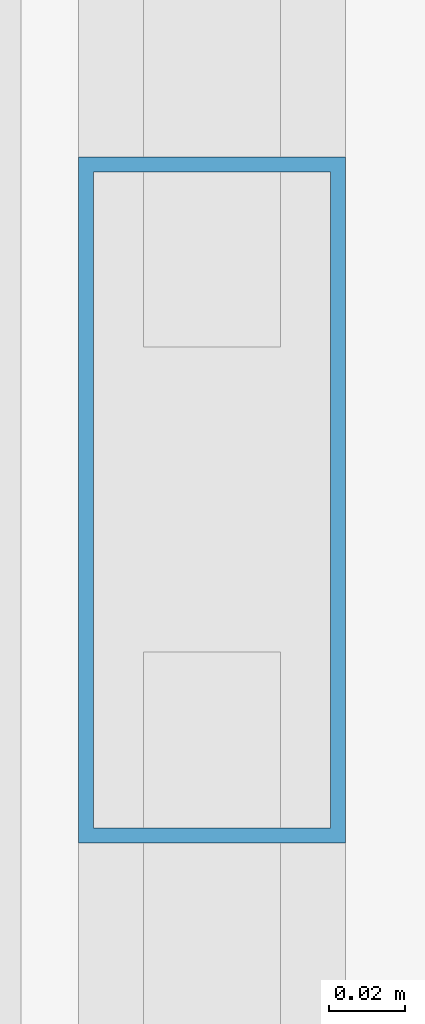
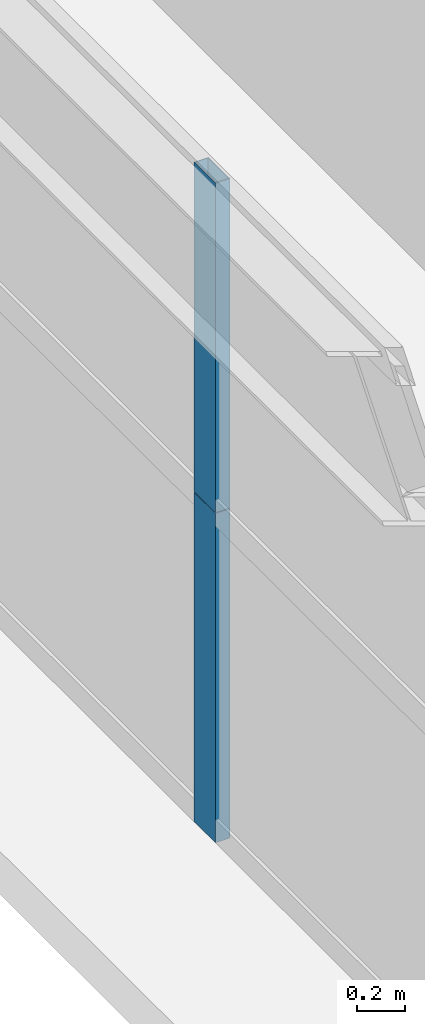
# One storey, part 23 of 43: 2 members, 1 element without a shape of its own.
"""IFC4 building model written with IfcOpenShell, lengths in metres."""

from ifc_helpers import new_model, si_unit, direction, frame, origin, origin_2d, place, context, subcontext, project, spatial, hollow_rectangle, extrude, source, transform, mapped, material, layer, layer_set, material_profile, profile_set, type_object, element, aggregate, save


model = new_model("IFC4")

# Units and contexts
model_context = context("Model", 3, precision=1e-05, world=origin(), true_north=direction((0.0, 1.0)))
body_context = subcontext(model_context, "Body", "Model", "MODEL_VIEW")
ifc_project = project(units=[si_unit("LENGTHUNIT", "METRE"), si_unit("AREAUNIT", "SQUARE_METRE"), si_unit("VOLUMEUNIT", "CUBIC_METRE"), si_unit("PLANEANGLEUNIT", "RADIAN"), si_unit("MASSUNIT", "GRAM", prefix="KILO"), si_unit("THERMODYNAMICTEMPERATUREUNIT", "KELVIN"), si_unit("POWERUNIT", "WATT")], contexts=[model_context])

# Site, building, storey
site_placement = place(None, origin())
site = spatial("IfcSite", under=ifc_project, at=site_placement, CompositionType="ELEMENT")
building_placement = place(site_placement, origin())
building = spatial("IfcBuilding", under=site, at=building_placement, Name="Yuzanri Waterfront Tower", CompositionType="ELEMENT")
storey_placement = place(building_placement, frame((0.0, 0.0, 101.0)))
storey = spatial("IfcBuildingStorey", under=building, at=storey_placement, Name="L26", CompositionType="ELEMENT", Elevation=101.0)

# Curtain wall, members
ifc_material_1 = material(Name="Anodized Architectural Bronze", Category="metal")
ifc_layer = layer(ifc_material_1, 0.159912109375)
ifc_layer_set = layer_set([ifc_layer], Name="Anodized Architectural Bronze")
curtain_wall_type = type_object("IfcCurtainWallType", Name="Anodized Bronze Hotel Upper-Tier Solar-Control Unitized Curtain Wall 7800", PredefinedType="NOTDEFINED", material=ifc_layer_set)
curtain_wall_placement = place(storey_placement, origin())
curtain_wall = element("IfcCurtainWall", 1, at=curtain_wall_placement, inside=storey, type_object=curtain_wall_type, Name="L26 Curtain Wall CW-L26-WR", PredefinedType="NOTDEFINED")
ifc_material_2 = material(Name="Anodized Architectural Bronze", Category="metal")
ifc_material_profile = material_profile(ifc_material_2, hollow_rectangle(XDim=0.070068359375, YDim=0.179931640625, WallThickness=0.00390625, at=origin_2d()), Name="CWM 70x180")
ifc_profile_set = profile_set([ifc_material_profile], Name="Anodized Architectural Bronze")
member_type = type_object("IfcMemberType", Name="Anodized Bronze Standard Curtain-Wall Mullion 70x180", PredefinedType="MULLION", material=ifc_profile_set)
shared_shape = source(origin(), body_context, "Body", "SweptSolid", [
    extrude(hollow_rectangle(XDim=0.070068359375, YDim=0.179931640625, WallThickness=0.00390625, at=origin_2d()), origin(), (0.0, 0.0, 1.0), 1.68798828125),
])
member_1_placement = place(storey_placement, frame((13.550048828125, 34.14990234375, 0.0), z_axis=(0.0, 0.0, 1.0), x_axis=(1.0, 0.0, 0.0)))
member_1 = element("IfcMember", 2, at=member_1_placement, type_object=member_type, Name="CW-L26-WR Lower Mullion 01", PredefinedType="MULLION", context=body_context, shape_type="MappedRepresentation", body=[
    mapped(shared_shape, transform((0.0, 0.0, 0.0), scale=1.0)),
])
member_2_placement = place(storey_placement, frame((13.550048828125, 34.14990234375, 1.69189453125), z_axis=(0.0, 0.0, 1.0), x_axis=(1.0, 0.0, 0.0)))
member_2 = element("IfcMember", 3, at=member_2_placement, type_object=member_type, Name="CW-L26-WR Upper Mullion 01", PredefinedType="MULLION", context=body_context, shape_type="MappedRepresentation", body=[
    mapped(shared_shape, transform((0.0, 0.0, 0.0), scale=1.0)),
])
aggregate(curtain_wall, [member_1, member_2])

save(model, "model.ifc")
